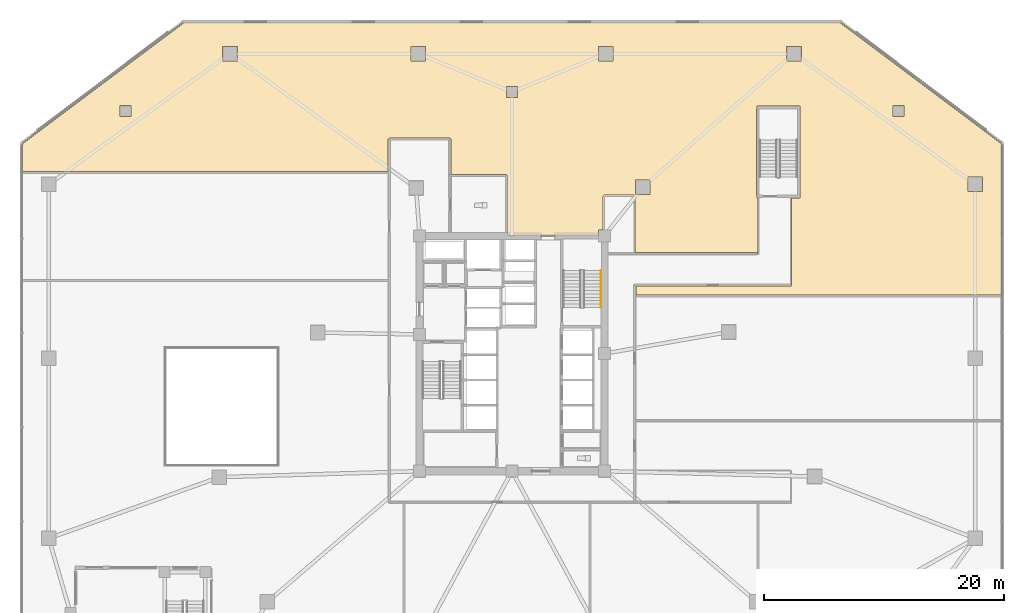
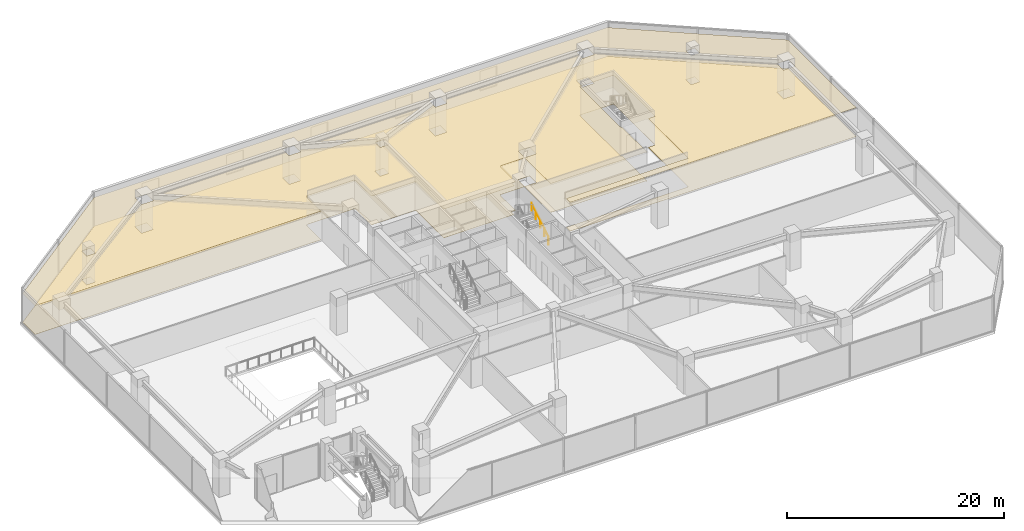
# One storey, part 19 of 22: 2 coverings, 1 railing.
"""IFC4 building model written with IfcOpenShell, lengths in metres."""

from ifc_helpers import new_model, si_unit, direction, frame, origin, origin_2d, place, context, subcontext, project, spatial, polyline, circle, outline, extrude, material, layer, layer_set, type_object, element, save


model = new_model("IFC4")

# Units and contexts
model_context = context("Model", 3, precision=1e-05, world=origin(), true_north=direction((0.0, 1.0)))
body_context = subcontext(model_context, "Body", "Model", "MODEL_VIEW")
ifc_project = project(units=[si_unit("LENGTHUNIT", "METRE"), si_unit("AREAUNIT", "SQUARE_METRE"), si_unit("VOLUMEUNIT", "CUBIC_METRE"), si_unit("PLANEANGLEUNIT", "RADIAN"), si_unit("MASSUNIT", "GRAM", prefix="KILO")], contexts=[model_context])

# Site, building, storey
site_placement = place(None, origin())
site = spatial("IfcSite", under=ifc_project, at=site_placement, CompositionType="ELEMENT")
building_placement = place(site_placement, origin())
building = spatial("IfcBuilding", under=site, at=building_placement, Name="Savorim Split Tower", CompositionType="ELEMENT")
storey_placement = place(building_placement, frame((0.0, 0.0, 13.39990234375)))
storey = spatial("IfcBuildingStorey", under=building, at=storey_placement, Name="L03", CompositionType="ELEMENT", Elevation=13.39990234375)

# Coverings
ifc_material_1 = material(Name="Mineral Fibre Acoustic Ceiling")
ifc_layer_1 = layer(ifc_material_1, 0.02490234375)
ifc_layer_set_1 = layer_set([ifc_layer_1], Name="COV-CEIL-25")
covering_type_1 = type_object("IfcCoveringType", Name="COV-CEIL-25", PredefinedType="CEILING", material=ifc_layer_set_1)
covering_1_placement = place(storey_placement, frame((0.0, 0.0, 3.239990234375)))
element("IfcCovering", 1, at=covering_1_placement, inside=storey, type_object=covering_type_1, Name="L03 Co-Working Commons Acoustic Ceiling", PredefinedType="CEILING", context=body_context, shape_type="SweptSolid", body=[
    extrude(outline(polyline([(27.32666015625, 27.97998046875), (-27.32666015625, 27.97998046875), (-40.780029296875, 17.889892578125), (-40.780029296875, 15.594970703125), (-10.31494140625, 15.594970703125), (-10.31494140625, 18.280029296875), (-10.219970703125, 18.280029296875), (-10.219970703125, 18.375), (-5.179931640625, 18.375), (-5.179931640625, 18.280029296875), (-5.0849609375, 18.280029296875), (-5.0849609375, 15.344970703125), (-0.449951171875, 15.344970703125), (-0.449951171875, 15.25), (-0.35498046875, 15.25), (-0.35498046875, 10.199951171875), (7.18994140625, 10.199951171875), (7.18994140625, 10.7099609375), (7.60009765625, 10.7099609375), (7.60009765625, 13.5), (7.6005859375, 13.509765625), (7.601806640625, 13.51953125), (7.604248046875, 13.529052734375), (7.607666015625, 13.538330078125), (7.61181640625, 13.547119140625), (7.616943359375, 13.5556640625), (7.622802734375, 13.5634765625), (7.62939453125, 13.57080078125), (7.63671875, 13.577392578125), (7.644287109375, 13.5830078125), (7.65283203125, 13.588134765625), (7.66162109375, 13.59228515625), (7.6708984375, 13.595703125), (7.680419921875, 13.59814453125), (7.690185546875, 13.599609375), (7.699951171875, 13.60009765625), (10.14990234375, 13.60009765625), (10.159912109375, 13.599609375), (10.16943359375, 13.59814453125), (10.178955078125, 13.595703125), (10.188232421875, 13.59228515625), (10.197021484375, 13.588134765625), (10.20556640625, 13.5830078125), (10.21337890625, 13.577392578125), (10.220703125, 13.57080078125), (10.227294921875, 13.5634765625), (10.233154296875, 13.5556640625), (10.23828125, 13.547119140625), (10.242431640625, 13.538330078125), (10.24560546875, 13.529052734375), (10.248046875, 13.51953125), (10.24951171875, 13.509765625), (10.25, 13.5), (10.25, 8.81494140625), (20.39990234375, 8.81494140625), (20.39990234375, 8.75), (20.5, 8.75), (20.5, 13.3798828125), (20.39990234375, 13.3798828125), (20.39990234375, 13.39990234375), (20.39990234375, 13.60009765625), (20.3798828125, 13.60009765625), (20.3798828125, 20.800048828125), (20.39990234375, 20.800048828125), (20.39990234375, 21.0), (20.39990234375, 21.02001953125), (24.0, 21.02001953125), (24.0, 21.0), (24.0, 20.800048828125), (24.02001953125, 20.800048828125), (24.02001953125, 13.60009765625), (24.0, 13.60009765625), (24.0, 13.39990234375), (24.0, 13.3798828125), (23.300048828125, 13.3798828125), (23.300048828125, 6.199951171875), (23.299560546875, 6.190185546875), (23.298095703125, 6.180419921875), (23.295654296875, 6.1708984375), (23.29248046875, 6.16162109375), (23.2880859375, 6.15283203125), (23.283203125, 6.144287109375), (23.280029296875, 6.14013671875), (23.280029296875, 6.02490234375), (10.31494140625, 6.02490234375), (10.31494140625, 5.294921875), (40.780029296875, 5.294921875), (40.780029296875, 17.889892578125), (27.32666015625, 27.97998046875)]), holes=[polyline([(37.989990234375, 13.889892578125), (39.2099609375, 13.889892578125), (39.2099609375, 15.110107421875), (37.989990234375, 15.110107421875), (37.989990234375, 13.889892578125)]), polyline([(22.889892578125, 24.7900390625), (24.110107421875, 24.7900390625), (24.110107421875, 26.010009765625), (22.889892578125, 26.010009765625), (22.889892578125, 24.7900390625)]), polyline([(7.18994140625, 24.7900390625), (8.409912109375, 24.7900390625), (8.409912109375, 26.010009765625), (7.18994140625, 26.010009765625), (7.18994140625, 24.7900390625)]), polyline([(-7.18994140625, 24.7900390625), (-7.18994140625, 26.010009765625), (-8.409912109375, 26.010009765625), (-8.409912109375, 24.7900390625), (-7.18994140625, 24.7900390625)]), polyline([(-22.889892578125, 26.010009765625), (-24.110107421875, 26.010009765625), (-24.110107421875, 24.7900390625), (-22.889892578125, 24.7900390625), (-22.889892578125, 26.010009765625)]), polyline([(10.275390625, 14.860595703125), (10.275390625, 13.640380859375), (11.49560546875, 13.640380859375), (11.49560546875, 14.860595703125), (10.275390625, 14.860595703125)]), polyline([(31.739990234375, 20.139892578125), (32.659912109375, 20.139892578125), (32.659912109375, 21.06005859375), (31.739990234375, 21.06005859375), (31.739990234375, 20.139892578125)]), polyline([(-31.739990234375, 20.139892578125), (-31.739990234375, 21.06005859375), (-32.659912109375, 21.06005859375), (-32.659912109375, 20.139892578125), (-31.739990234375, 20.139892578125)]), polyline([(-0.4599609375, 22.659912109375), (-0.4599609375, 21.739990234375), (0.4599609375, 21.739990234375), (0.4599609375, 22.659912109375), (-0.4599609375, 22.659912109375)])]), origin(), (0.0, 0.0, 1.0), 0.025146484375),
])
ifc_material_2 = material(Name="Porcelain Stoneware Flooring", Category="masonry")
ifc_layer_2 = layer(ifc_material_2, 0.02001953125)
ifc_layer_set_2 = layer_set([ifc_layer_2], Name="COV-FLOR-20")
covering_type_2 = type_object("IfcCoveringType", Name="COV-FLOR-20", PredefinedType="FLOORING", material=ifc_layer_set_2)
covering_2_placement = place(storey_placement, origin())
element("IfcCovering", 2, at=covering_2_placement, inside=storey, type_object=covering_type_2, Name="L03 Co-Working Commons Porcelain Flooring", PredefinedType="FLOORING", context=body_context, shape_type="SweptSolid", body=[
    extrude(outline(polyline([(27.32666015625, 27.97998046875), (-27.32666015625, 27.97998046875), (-40.780029296875, 17.889892578125), (-40.780029296875, 15.594970703125), (-10.31494140625, 15.594970703125), (-10.31494140625, 18.280029296875), (-10.219970703125, 18.280029296875), (-10.219970703125, 18.375), (-5.179931640625, 18.375), (-5.179931640625, 18.280029296875), (-5.0849609375, 18.280029296875), (-5.0849609375, 15.344970703125), (-0.449951171875, 15.344970703125), (-0.449951171875, 15.25), (-0.35498046875, 15.25), (-0.35498046875, 10.199951171875), (7.18994140625, 10.199951171875), (7.18994140625, 10.7099609375), (7.60009765625, 10.7099609375), (7.60009765625, 13.5), (7.6005859375, 13.509765625), (7.601806640625, 13.51953125), (7.604248046875, 13.529052734375), (7.607666015625, 13.538330078125), (7.61181640625, 13.547119140625), (7.616943359375, 13.5556640625), (7.622802734375, 13.5634765625), (7.62939453125, 13.57080078125), (7.63671875, 13.577392578125), (7.644287109375, 13.5830078125), (7.65283203125, 13.588134765625), (7.66162109375, 13.59228515625), (7.6708984375, 13.595703125), (7.680419921875, 13.59814453125), (7.690185546875, 13.599609375), (7.699951171875, 13.60009765625), (10.14990234375, 13.60009765625), (10.159912109375, 13.599609375), (10.16943359375, 13.59814453125), (10.178955078125, 13.595703125), (10.188232421875, 13.59228515625), (10.197021484375, 13.588134765625), (10.20556640625, 13.5830078125), (10.21337890625, 13.577392578125), (10.220703125, 13.57080078125), (10.227294921875, 13.5634765625), (10.233154296875, 13.5556640625), (10.23828125, 13.547119140625), (10.242431640625, 13.538330078125), (10.24560546875, 13.529052734375), (10.248046875, 13.51953125), (10.24951171875, 13.509765625), (10.25, 13.5), (10.25, 8.81494140625), (20.39990234375, 8.81494140625), (20.39990234375, 8.75), (20.5, 8.75), (20.5, 13.3798828125), (20.39990234375, 13.3798828125), (20.39990234375, 13.39990234375), (20.39990234375, 13.60009765625), (20.3798828125, 13.60009765625), (20.3798828125, 20.800048828125), (20.39990234375, 20.800048828125), (20.39990234375, 21.0), (20.39990234375, 21.02001953125), (24.0, 21.02001953125), (24.0, 21.0), (24.0, 20.800048828125), (24.02001953125, 20.800048828125), (24.02001953125, 13.60009765625), (24.0, 13.60009765625), (24.0, 13.39990234375), (24.0, 13.3798828125), (23.300048828125, 13.3798828125), (23.300048828125, 6.199951171875), (23.299560546875, 6.190185546875), (23.298095703125, 6.180419921875), (23.295654296875, 6.1708984375), (23.29248046875, 6.16162109375), (23.2880859375, 6.15283203125), (23.283203125, 6.144287109375), (23.280029296875, 6.14013671875), (23.280029296875, 6.02490234375), (10.31494140625, 6.02490234375), (10.31494140625, 5.294921875), (40.780029296875, 5.294921875), (40.780029296875, 17.889892578125), (27.32666015625, 27.97998046875)]), holes=[polyline([(37.989990234375, 13.889892578125), (39.2099609375, 13.889892578125), (39.2099609375, 15.110107421875), (37.989990234375, 15.110107421875), (37.989990234375, 13.889892578125)]), polyline([(22.889892578125, 24.7900390625), (24.110107421875, 24.7900390625), (24.110107421875, 26.010009765625), (22.889892578125, 26.010009765625), (22.889892578125, 24.7900390625)]), polyline([(7.18994140625, 24.7900390625), (8.409912109375, 24.7900390625), (8.409912109375, 26.010009765625), (7.18994140625, 26.010009765625), (7.18994140625, 24.7900390625)]), polyline([(-7.18994140625, 24.7900390625), (-7.18994140625, 26.010009765625), (-8.409912109375, 26.010009765625), (-8.409912109375, 24.7900390625), (-7.18994140625, 24.7900390625)]), polyline([(-22.889892578125, 26.010009765625), (-24.110107421875, 26.010009765625), (-24.110107421875, 24.7900390625), (-22.889892578125, 24.7900390625), (-22.889892578125, 26.010009765625)]), polyline([(10.275390625, 14.860595703125), (10.275390625, 13.640380859375), (11.49560546875, 13.640380859375), (11.49560546875, 14.860595703125), (10.275390625, 14.860595703125)]), polyline([(31.739990234375, 20.139892578125), (32.659912109375, 20.139892578125), (32.659912109375, 21.06005859375), (31.739990234375, 21.06005859375), (31.739990234375, 20.139892578125)]), polyline([(-31.739990234375, 20.139892578125), (-31.739990234375, 21.06005859375), (-32.659912109375, 21.06005859375), (-32.659912109375, 20.139892578125), (-31.739990234375, 20.139892578125)]), polyline([(-0.4599609375, 22.659912109375), (-0.4599609375, 21.739990234375), (0.4599609375, 21.739990234375), (0.4599609375, 22.659912109375), (-0.4599609375, 22.659912109375)])]), origin(), (0.0, 0.0, 1.0), 0.02001953125),
])

# Railing
ifc_material_3 = material(Name="Galvanised Painted Steel Balustrade", Category="steel")
railing_type = type_object("IfcRailingType", Name="RLG-HR-900", PredefinedType="HANDRAIL", material=ifc_material_3)
railing_placement = place(storey_placement, frame((7.39990234375, 4.25, 0.175048828125)))
element("IfcRailing", 3, at=railing_placement, inside=storey, type_object=railing_type, Name="L03 ST-2 stair handrail 1", PredefinedType="HANDRAIL", context=body_context, shape_type="SweptSolid", body=[
    extrude(circle(Radius=0.02392578125, at=origin_2d()), frame((0.0, 0.0, 0.8759765625), z_axis=(0.0, 0.847998304005, 0.529998940003), x_axis=(-1.0, 0.0, 0.0)), (0.0, 0.0, 1.0), 3.632080078125),
    extrude(circle(Radius=0.02099609375, at=origin_2d()), origin(), (0.0, 0.0, 1.0), 0.851806640625),
    extrude(circle(Radius=0.02099609375, at=origin_2d()), frame((0.0, 0.77001953125, 0.481201171875)), (0.0, 0.0, 1.0), 0.851806640625),
    extrude(circle(Radius=0.02099609375, at=origin_2d()), frame((0.0, 1.5400390625, 0.96240234375)), (0.0, 0.0, 1.0), 0.851806640625),
    extrude(circle(Radius=0.02099609375, at=origin_2d()), frame((0.0, 2.31005859375, 1.44384765625)), (0.0, 0.0, 1.0), 0.851806640625),
    extrude(circle(Radius=0.02099609375, at=origin_2d()), frame((0.0, 3.080078125, 1.925048828125)), (0.0, 0.0, 1.0), 0.851806640625),
])

save(model, "model.ifc")
